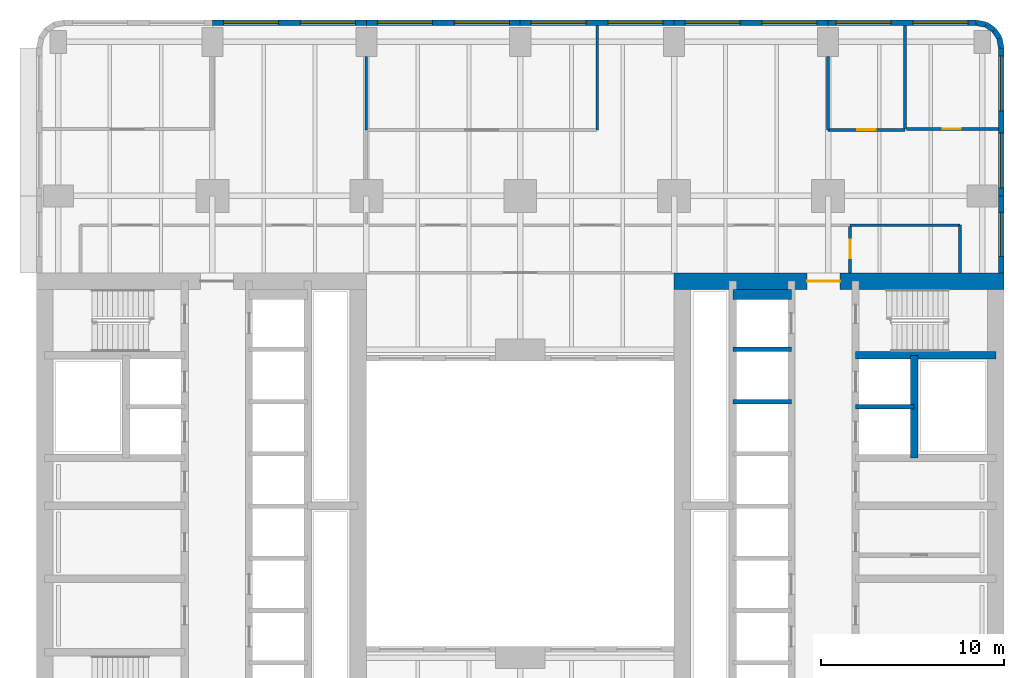
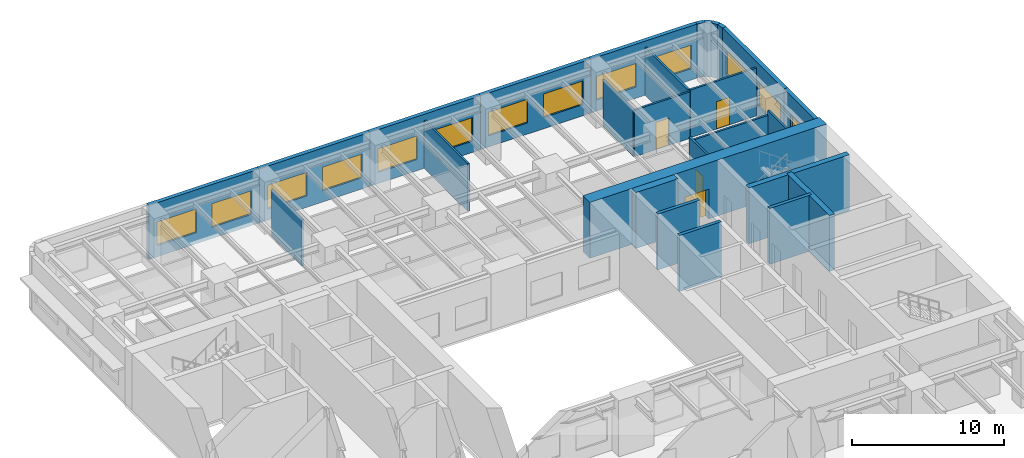
# One storey, part 7 of 12: 27 walls, 13 windows, 4 doors, 17 openings.
"""IFC4 building model written with IfcOpenShell, lengths in metres."""

from ifc_helpers import new_model, si_unit, direction, frame, frame_2d, origin, place, context, subcontext, project, spatial, rectangle, extrude, material, layer, layer_set, type_object, element, fill, save


model = new_model("IFC4")

# Units and contexts
model_context = context("Model", 3, precision=1e-05, world=origin(), true_north=direction((0.0, 1.0)))
body_context = subcontext(model_context, "Body", "Model", "MODEL_VIEW")
ifc_project = project(units=[si_unit("LENGTHUNIT", "METRE"), si_unit("AREAUNIT", "SQUARE_METRE"), si_unit("VOLUMEUNIT", "CUBIC_METRE"), si_unit("PLANEANGLEUNIT", "RADIAN"), si_unit("MASSUNIT", "GRAM", prefix="KILO")], contexts=[model_context])

# Site, building, storey
site_placement = place(None, origin())
site = spatial("IfcSite", under=ifc_project, at=site_placement, CompositionType="ELEMENT")
building_placement = place(site_placement, origin())
building = spatial("IfcBuilding", under=site, at=building_placement, Name="Claustro Exchange Tower", CompositionType="ELEMENT")
storey_placement = place(building_placement, frame((0.0, 0.0, 63.89990234375)))
storey = spatial("IfcBuildingStorey", under=building, at=storey_placement, Name="L14", CompositionType="ELEMENT", Elevation=63.89990234375)

# Walls
ifc_material_1 = material(Name="Gypsum board on steel studs", Category="steel")
ifc_layer_1 = layer(ifc_material_1, 0.14990234375)
ifc_layer_set_1 = layer_set([ifc_layer_1], Name="Gypsum board on steel studs")
wall_type_1 = type_object("IfcWallType", Name="P1 150 plasterboard partition", PredefinedType="PARTITIONING", material=ifc_layer_set_1)
wall_1_placement = place(storey_placement, frame((16.800048828125, 45.597900390625, 0.0), z_axis=(0.0, 0.0, 1.0), x_axis=(0.0, 1.0, 0.0)))
element("IfcWall", 1, at=wall_1_placement, inside=storey, type_object=wall_type_1, Name="Partition P1 L14", PredefinedType="PARTITIONING", context=body_context, shape_type="SweptSolid", body=[
    extrude(rectangle(XDim=4.003173828125, YDim=0.14990234375, at=frame_2d((2.00146484375, 0.0))), origin(), (0.0, 0.0, 1.0), 3.739990234375),
])
wall_2_placement = place(storey_placement, frame((29.39990234375, 45.60009765625, 0.0), z_axis=(0.0, 0.0, 1.0), x_axis=(0.0, 1.0, 0.0)))
element("IfcWall", 2, at=wall_2_placement, inside=storey, type_object=wall_type_1, Name="Partition P1 L14", PredefinedType="PARTITIONING", context=body_context, shape_type="SweptSolid", body=[
    extrude(rectangle(XDim=5.701904296875, YDim=0.14990234375, at=frame_2d((2.85107421875, 0.0))), origin(), (0.0, 0.0, 1.0), 3.840087890625),
])

# Wall, opening, door
wall_3_placement = place(storey_placement, frame((46.27392578125, 45.64990234375, 0.0), z_axis=(0.0, 0.0, 1.0), x_axis=(1.0, 0.0, 0.0)))
wall_3 = element("IfcWall", 3, at=wall_3_placement, inside=storey, type_object=wall_type_1, Name="Partition P1 L14", PredefinedType="PARTITIONING", context=body_context, shape_type="SweptSolid", body=[
    extrude(rectangle(XDim=5.028076171875, YDim=0.14990234375, at=frame_2d((2.51416015625, 0.0))), origin(), (0.0, 0.0, 1.0), 3.840087890625),
])
opening_1_placement = place(wall_3_placement, frame((1.97607421875, 0.0, 0.0)))
opening_1 = element("IfcOpeningElement", 4, at=opening_1_placement, cuts=wall_3, Name="Opening D1", PredefinedType="OPENING", context=body_context, shape_type="SweptSolid", body=[
    extrude(rectangle(XDim=1.0, YDim=2.199951171875, at=frame_2d((0.5, 1.10009765625))), frame((0.0, 0.0849609375, 0.0), z_axis=(0.0, -1.0, 0.0), x_axis=(1.0, 0.0, 0.0)), (0.0, 0.0, 1.0), 0.169921875),
])
ifc_material_2 = material(Name="Timber door, oak veneer", Category="wood")
door_type_1 = type_object("IfcDoorType", Name="D1 1000 x 2200 single door", OperationType="SINGLE_SWING_LEFT", PredefinedType="DOOR", material=ifc_material_2)
door_1_placement = place(opening_1_placement, origin())
door_1 = element("IfcDoor", 5, at=door_1_placement, inside=storey, type_object=door_type_1, Name="Door D1 L14", OperationType="SINGLE_SWING_LEFT", OverallHeight=2.199951171875, OverallWidth=1.0, PredefinedType="DOOR", context=body_context, shape_type="SweptSolid", body=[
    extrude(rectangle(XDim=1.0, YDim=2.199951171875, at=frame_2d((0.5, 1.10009765625))), frame((0.0, 0.02490234375, 0.0), z_axis=(0.0, -1.0, 0.0), x_axis=(1.0, 0.0, 0.0)), (0.0, 0.0, 1.0), 0.050048828125),
])
fill(opening_1, door_1)

wall_4_placement = place(storey_placement, frame((42.0, 45.60009765625, 0.0), z_axis=(0.0, 0.0, 1.0), x_axis=(1.0, 0.0, 0.0)))
wall_4 = element("IfcWall", 6, at=wall_4_placement, inside=storey, type_object=wall_type_1, Name="Partition P1 L14", PredefinedType="PARTITIONING", context=body_context, shape_type="SweptSolid", body=[
    extrude(rectangle(XDim=4.201904296875, YDim=0.14990234375, at=frame_2d((2.10107421875, 0.0))), origin(), (0.0, 0.0, 1.0), 3.739990234375),
])
opening_2_placement = place(wall_4_placement, frame((1.60009765625, 0.0, 0.0)))
opening_2 = element("IfcOpeningElement", 7, at=opening_2_placement, cuts=wall_4, Name="Opening D1", PredefinedType="OPENING", context=body_context, shape_type="SweptSolid", body=[
    extrude(rectangle(XDim=1.0, YDim=2.199951171875, at=frame_2d((0.5, 1.10009765625))), frame((0.0, 0.0849609375, 0.0), z_axis=(0.0, -1.0, 0.0), x_axis=(1.0, 0.0, 0.0)), (0.0, 0.0, 1.0), 0.169921875),
])
door_2_placement = place(opening_2_placement, origin())
door_2 = element("IfcDoor", 8, at=door_2_placement, inside=storey, type_object=door_type_1, Name="Door D1 L14", OperationType="SINGLE_SWING_LEFT", OverallHeight=2.199951171875, OverallWidth=1.0, PredefinedType="DOOR", context=body_context, shape_type="SweptSolid", body=[
    extrude(rectangle(XDim=1.0, YDim=2.199951171875, at=frame_2d((0.5, 1.10009765625))), frame((0.0, 0.02490234375, 0.0), z_axis=(0.0, -1.0, 0.0), x_axis=(1.0, 0.0, 0.0)), (0.0, 0.0, 1.0), 0.050048828125),
])
fill(opening_2, door_2)

# Walls
wall_5_placement = place(storey_placement, frame((42.0, 45.60009765625, 0.0), z_axis=(0.0, 0.0, 1.0), x_axis=(0.0, 1.0, 0.0)))
element("IfcWall", 9, at=wall_5_placement, inside=storey, type_object=wall_type_1, Name="Partition P1 L14", PredefinedType="PARTITIONING", context=body_context, shape_type="SweptSolid", body=[
    extrude(rectangle(XDim=4.0009765625, YDim=0.14990234375, at=frame_2d((2.00048828125, 0.0))), origin(), (0.0, 0.0, 1.0), 3.739990234375),
])
wall_6_placement = place(storey_placement, frame((46.199951171875, 45.674072265625, 0.0), z_axis=(0.0, 0.0, 1.0), x_axis=(0.0, 1.0, 0.0)))
element("IfcWall", 10, at=wall_6_placement, inside=storey, type_object=wall_type_1, Name="Partition P1 L14", PredefinedType="PARTITIONING", context=body_context, shape_type="SweptSolid", body=[
    extrude(rectangle(XDim=5.6279296875, YDim=0.14990234375, at=frame_2d((2.81396484375, 0.0))), origin(), (0.0, 0.0, 1.0), 3.840087890625),
])

# Wall, opening, door
wall_7_placement = place(storey_placement, frame((43.199951171875, 37.800048828125, 0.0), z_axis=(0.0, 0.0, 1.0), x_axis=(0.0, 1.0, 0.0)))
wall_7 = element("IfcWall", 11, at=wall_7_placement, inside=storey, type_object=wall_type_1, Name="Partition P1 L14", PredefinedType="PARTITIONING", context=body_context, shape_type="SweptSolid", body=[
    extrude(rectangle(XDim=2.52587890625, YDim=0.14990234375, at=frame_2d((1.262939453125, 0.0))), origin(), (0.0, 0.0, 1.0), 4.340087890625),
])
opening_3_placement = place(wall_7_placement, frame((0.800048828125, 0.0, 0.0)))
opening_3 = element("IfcOpeningElement", 12, at=opening_3_placement, cuts=wall_7, Name="Opening D1", PredefinedType="OPENING", context=body_context, shape_type="SweptSolid", body=[
    extrude(rectangle(XDim=1.0, YDim=2.199951171875, at=frame_2d((0.5, 1.10009765625))), frame((0.0, 0.0849609375, 0.0), z_axis=(0.0, -1.0, 0.0), x_axis=(1.0, 0.0, 0.0)), (0.0, 0.0, 1.0), 0.169921875),
])
door_3_placement = place(opening_3_placement, frame((1.0, 0.0, 0.0), z_axis=(0.0, 0.0, 1.0), x_axis=(-1.0, 0.0, 0.0)))
door_3 = element("IfcDoor", 13, at=door_3_placement, inside=storey, type_object=door_type_1, Name="Door D1 L14", OperationType="SINGLE_SWING_RIGHT", OverallHeight=2.199951171875, OverallWidth=1.0, PredefinedType="DOOR", context=body_context, shape_type="SweptSolid", body=[
    extrude(rectangle(XDim=1.0, YDim=2.199951171875, at=frame_2d((0.5, 1.10009765625))), frame((0.0, 0.02490234375, 0.0), z_axis=(0.0, -1.0, 0.0), x_axis=(1.0, 0.0, 0.0)), (0.0, 0.0, 1.0), 0.050048828125),
])
fill(opening_3, door_3)

# Walls
wall_8_placement = place(storey_placement, frame((43.197998046875, 40.39990234375, 0.0), z_axis=(0.0, 0.0, 1.0), x_axis=(1.0, 0.0, 0.0)))
element("IfcWall", 14, at=wall_8_placement, inside=storey, type_object=wall_type_1, Name="Partition P1 L14", PredefinedType="PARTITIONING", context=body_context, shape_type="SweptSolid", body=[
    extrude(rectangle(XDim=6.001953125, YDim=0.14990234375, at=frame_2d((3.0009765625, 0.0))), origin(), (0.0, 0.0, 1.0), 3.97998046875),
])
wall_9_placement = place(storey_placement, frame((49.199951171875, 37.800048828125, 0.0), z_axis=(0.0, 0.0, 1.0), x_axis=(0.0, 1.0, 0.0)))
element("IfcWall", 15, at=wall_9_placement, inside=storey, type_object=wall_type_1, Name="Partition P1 L14", PredefinedType="PARTITIONING", context=body_context, shape_type="SweptSolid", body=[
    extrude(rectangle(XDim=2.599853515625, YDim=0.14990234375, at=frame_2d((1.2998046875, 0.0))), origin(), (0.0, 0.0, 1.0), 4.340087890625),
])

# Wall, openings, windows
ifc_material_3 = material(Name="Concrete HA-40 (C40/50), precast, white cement, acid-etched", Category="concrete")
ifc_layer_2 = layer(ifc_material_3, 0.300048828125)
ifc_layer_set_2 = layer_set([ifc_layer_2], Name="Concrete HA-40 (C40/50), precast, white cement, acid-etched")
wall_type_2 = type_object("IfcWallType", Name="PC1 300 precast concrete pier panel", PredefinedType="SOLIDWALL", material=ifc_layer_set_2)
wall_10_placement = place(storey_placement, frame((8.39990234375, 51.449951171875, 0.0), z_axis=(0.0, 0.0, 1.0), x_axis=(1.0, 0.0, 0.0)))
wall_10 = element("IfcWall", 16, at=wall_10_placement, inside=storey, type_object=wall_type_2, Name="Precast pier panel PC1 L14", PredefinedType="SOLIDWALL", context=body_context, shape_type="SweptSolid", body=[
    extrude(rectangle(XDim=8.400146484375, YDim=0.300048828125, at=frame_2d((4.2001953125, 0.0))), origin(), (0.0, 0.0, 1.0), 4.340087890625),
])
opening_4_placement = place(wall_10_placement, frame((0.60009765625, 0.0, 0.89990234375)))
opening_4 = element("IfcOpeningElement", 17, at=opening_4_placement, cuts=wall_10, Name="Opening W1", PredefinedType="OPENING", context=body_context, shape_type="SweptSolid", body=[
    extrude(rectangle(XDim=3.0, YDim=1.89990234375, at=frame_2d((1.5, 0.949951171875))), frame((0.0, 0.159912109375, 0.0), z_axis=(0.0, -1.0, 0.0), x_axis=(1.0, 0.0, 0.0)), (0.0, 0.0, 1.0), 0.320068359375),
])
opening_5_placement = place(wall_10_placement, frame((4.800048828125, 0.0, 0.89990234375)))
opening_5 = element("IfcOpeningElement", 18, at=opening_5_placement, cuts=wall_10, Name="Opening W1", PredefinedType="OPENING", context=body_context, shape_type="SweptSolid", body=[
    extrude(rectangle(XDim=3.0, YDim=1.89990234375, at=frame_2d((1.5, 0.949951171875))), frame((0.0, 0.159912109375, 0.0), z_axis=(0.0, -1.0, 0.0), x_axis=(1.0, 0.0, 0.0)), (0.0, 0.0, 1.0), 0.320068359375),
])
ifc_material_4 = material(Name="Aluminium frame, clear double glazing", Category="aluminium")
window_type_1 = type_object("IfcWindowType", Name="W1 3000 x 1900 window", PartitioningType="SINGLE_PANEL", PredefinedType="WINDOW", material=ifc_material_4)
window_1_placement = place(opening_4_placement, origin())
window_1 = element("IfcWindow", 19, at=window_1_placement, inside=storey, type_object=window_type_1, Name="Window W1 L14", OverallHeight=1.89990234375, OverallWidth=3.0, PartitioningType="SINGLE_PANEL", PredefinedType="WINDOW", context=body_context, shape_type="SweptSolid", body=[
    extrude(rectangle(XDim=3.0, YDim=1.89990234375, at=frame_2d((1.5, 0.949951171875))), frame((0.0, 0.030029296875, 0.0), z_axis=(0.0, -1.0, 0.0), x_axis=(1.0, 0.0, 0.0)), (0.0, 0.0, 1.0), 0.06005859375),
])
fill(opening_4, window_1)
window_2_placement = place(opening_5_placement, origin())
window_2 = element("IfcWindow", 20, at=window_2_placement, inside=storey, type_object=window_type_1, Name="Window W1 L14", OverallHeight=1.89990234375, OverallWidth=3.0, PartitioningType="SINGLE_PANEL", PredefinedType="WINDOW", context=body_context, shape_type="SweptSolid", body=[
    extrude(rectangle(XDim=3.0, YDim=1.89990234375, at=frame_2d((1.5, 0.949951171875))), frame((0.0, 0.030029296875, 0.0), z_axis=(0.0, -1.0, 0.0), x_axis=(1.0, 0.0, 0.0)), (0.0, 0.0, 1.0), 0.06005859375),
])
fill(opening_5, window_2)

wall_11_placement = place(storey_placement, frame((16.800048828125, 51.449951171875, 0.0), z_axis=(0.0, 0.0, 1.0), x_axis=(1.0, 0.0, 0.0)))
wall_11 = element("IfcWall", 21, at=wall_11_placement, inside=storey, type_object=wall_type_2, Name="Precast pier panel PC1 L14", PredefinedType="SOLIDWALL", context=body_context, shape_type="SweptSolid", body=[
    extrude(rectangle(XDim=8.39990234375, YDim=0.300048828125, at=frame_2d((4.199951171875, 0.0))), origin(), (0.0, 0.0, 1.0), 4.340087890625),
])
opening_6_placement = place(wall_11_placement, frame((0.60009765625, 0.0, 0.89990234375)))
opening_6 = element("IfcOpeningElement", 22, at=opening_6_placement, cuts=wall_11, Name="Opening W1", PredefinedType="OPENING", context=body_context, shape_type="SweptSolid", body=[
    extrude(rectangle(XDim=3.0, YDim=1.89990234375, at=frame_2d((1.5, 0.949951171875))), frame((0.0, 0.159912109375, 0.0), z_axis=(0.0, -1.0, 0.0), x_axis=(1.0, 0.0, 0.0)), (0.0, 0.0, 1.0), 0.320068359375),
])
opening_7_placement = place(wall_11_placement, frame((4.800048828125, 0.0, 0.89990234375)))
opening_7 = element("IfcOpeningElement", 23, at=opening_7_placement, cuts=wall_11, Name="Opening W1", PredefinedType="OPENING", context=body_context, shape_type="SweptSolid", body=[
    extrude(rectangle(XDim=3.0, YDim=1.89990234375, at=frame_2d((1.5, 0.949951171875))), frame((0.0, 0.159912109375, 0.0), z_axis=(0.0, -1.0, 0.0), x_axis=(1.0, 0.0, 0.0)), (0.0, 0.0, 1.0), 0.320068359375),
])
window_3_placement = place(opening_6_placement, origin())
window_3 = element("IfcWindow", 24, at=window_3_placement, inside=storey, type_object=window_type_1, Name="Window W1 L14", OverallHeight=1.89990234375, OverallWidth=3.0, PartitioningType="SINGLE_PANEL", PredefinedType="WINDOW", context=body_context, shape_type="SweptSolid", body=[
    extrude(rectangle(XDim=3.0, YDim=1.89990234375, at=frame_2d((1.5, 0.949951171875))), frame((0.0, 0.030029296875, 0.0), z_axis=(0.0, -1.0, 0.0), x_axis=(1.0, 0.0, 0.0)), (0.0, 0.0, 1.0), 0.06005859375),
])
fill(opening_6, window_3)
window_4_placement = place(opening_7_placement, origin())
window_4 = element("IfcWindow", 25, at=window_4_placement, inside=storey, type_object=window_type_1, Name="Window W1 L14", OverallHeight=1.89990234375, OverallWidth=3.0, PartitioningType="SINGLE_PANEL", PredefinedType="WINDOW", context=body_context, shape_type="SweptSolid", body=[
    extrude(rectangle(XDim=3.0, YDim=1.89990234375, at=frame_2d((1.5, 0.949951171875))), frame((0.0, 0.030029296875, 0.0), z_axis=(0.0, -1.0, 0.0), x_axis=(1.0, 0.0, 0.0)), (0.0, 0.0, 1.0), 0.06005859375),
])
fill(opening_7, window_4)

wall_12_placement = place(storey_placement, frame((25.199951171875, 51.449951171875, 0.0), z_axis=(0.0, 0.0, 1.0), x_axis=(1.0, 0.0, 0.0)))
wall_12 = element("IfcWall", 26, at=wall_12_placement, inside=storey, type_object=wall_type_2, Name="Precast pier panel PC1 L14", PredefinedType="SOLIDWALL", context=body_context, shape_type="SweptSolid", body=[
    extrude(rectangle(XDim=8.400146484375, YDim=0.300048828125, at=frame_2d((4.2001953125, 0.0))), origin(), (0.0, 0.0, 1.0), 4.340087890625),
])
opening_8_placement = place(wall_12_placement, frame((0.60009765625, 0.0, 0.89990234375)))
opening_8 = element("IfcOpeningElement", 27, at=opening_8_placement, cuts=wall_12, Name="Opening W1", PredefinedType="OPENING", context=body_context, shape_type="SweptSolid", body=[
    extrude(rectangle(XDim=3.0, YDim=1.89990234375, at=frame_2d((1.5, 0.949951171875))), frame((0.0, 0.159912109375, 0.0), z_axis=(0.0, -1.0, 0.0), x_axis=(1.0, 0.0, 0.0)), (0.0, 0.0, 1.0), 0.320068359375),
])
opening_9_placement = place(wall_12_placement, frame((4.800048828125, 0.0, 0.89990234375)))
opening_9 = element("IfcOpeningElement", 28, at=opening_9_placement, cuts=wall_12, Name="Opening W1", PredefinedType="OPENING", context=body_context, shape_type="SweptSolid", body=[
    extrude(rectangle(XDim=3.0, YDim=1.89990234375, at=frame_2d((1.5, 0.949951171875))), frame((0.0, 0.159912109375, 0.0), z_axis=(0.0, -1.0, 0.0), x_axis=(1.0, 0.0, 0.0)), (0.0, 0.0, 1.0), 0.320068359375),
])
window_5_placement = place(opening_8_placement, origin())
window_5 = element("IfcWindow", 29, at=window_5_placement, inside=storey, type_object=window_type_1, Name="Window W1 L14", OverallHeight=1.89990234375, OverallWidth=3.0, PartitioningType="SINGLE_PANEL", PredefinedType="WINDOW", context=body_context, shape_type="SweptSolid", body=[
    extrude(rectangle(XDim=3.0, YDim=1.89990234375, at=frame_2d((1.5, 0.949951171875))), frame((0.0, 0.030029296875, 0.0), z_axis=(0.0, -1.0, 0.0), x_axis=(1.0, 0.0, 0.0)), (0.0, 0.0, 1.0), 0.06005859375),
])
fill(opening_8, window_5)
window_6_placement = place(opening_9_placement, origin())
window_6 = element("IfcWindow", 30, at=window_6_placement, inside=storey, type_object=window_type_1, Name="Window W1 L14", OverallHeight=1.89990234375, OverallWidth=3.0, PartitioningType="SINGLE_PANEL", PredefinedType="WINDOW", context=body_context, shape_type="SweptSolid", body=[
    extrude(rectangle(XDim=3.0, YDim=1.89990234375, at=frame_2d((1.5, 0.949951171875))), frame((0.0, 0.030029296875, 0.0), z_axis=(0.0, -1.0, 0.0), x_axis=(1.0, 0.0, 0.0)), (0.0, 0.0, 1.0), 0.06005859375),
])
fill(opening_9, window_6)

wall_13_placement = place(storey_placement, frame((33.60009765625, 51.449951171875, 0.0), z_axis=(0.0, 0.0, 1.0), x_axis=(1.0, 0.0, 0.0)))
wall_13 = element("IfcWall", 31, at=wall_13_placement, inside=storey, type_object=wall_type_2, Name="Precast pier panel PC1 L14", PredefinedType="SOLIDWALL", context=body_context, shape_type="SweptSolid", body=[
    extrude(rectangle(XDim=8.39990234375, YDim=0.300048828125, at=frame_2d((4.199951171875, 0.0))), origin(), (0.0, 0.0, 1.0), 4.340087890625),
])
opening_10_placement = place(wall_13_placement, frame((0.60009765625, 0.0, 0.89990234375)))
opening_10 = element("IfcOpeningElement", 32, at=opening_10_placement, cuts=wall_13, Name="Opening W1", PredefinedType="OPENING", context=body_context, shape_type="SweptSolid", body=[
    extrude(rectangle(XDim=3.0, YDim=1.89990234375, at=frame_2d((1.5, 0.949951171875))), frame((0.0, 0.159912109375, 0.0), z_axis=(0.0, -1.0, 0.0), x_axis=(1.0, 0.0, 0.0)), (0.0, 0.0, 1.0), 0.320068359375),
])
opening_11_placement = place(wall_13_placement, frame((4.800048828125, 0.0, 0.89990234375)))
opening_11 = element("IfcOpeningElement", 33, at=opening_11_placement, cuts=wall_13, Name="Opening W1", PredefinedType="OPENING", context=body_context, shape_type="SweptSolid", body=[
    extrude(rectangle(XDim=3.0, YDim=1.89990234375, at=frame_2d((1.5, 0.949951171875))), frame((0.0, 0.159912109375, 0.0), z_axis=(0.0, -1.0, 0.0), x_axis=(1.0, 0.0, 0.0)), (0.0, 0.0, 1.0), 0.320068359375),
])
window_7_placement = place(opening_10_placement, origin())
window_7 = element("IfcWindow", 34, at=window_7_placement, inside=storey, type_object=window_type_1, Name="Window W1 L14", OverallHeight=1.89990234375, OverallWidth=3.0, PartitioningType="SINGLE_PANEL", PredefinedType="WINDOW", context=body_context, shape_type="SweptSolid", body=[
    extrude(rectangle(XDim=3.0, YDim=1.89990234375, at=frame_2d((1.5, 0.949951171875))), frame((0.0, 0.030029296875, 0.0), z_axis=(0.0, -1.0, 0.0), x_axis=(1.0, 0.0, 0.0)), (0.0, 0.0, 1.0), 0.06005859375),
])
fill(opening_10, window_7)
window_8_placement = place(opening_11_placement, origin())
window_8 = element("IfcWindow", 35, at=window_8_placement, inside=storey, type_object=window_type_1, Name="Window W1 L14", OverallHeight=1.89990234375, OverallWidth=3.0, PartitioningType="SINGLE_PANEL", PredefinedType="WINDOW", context=body_context, shape_type="SweptSolid", body=[
    extrude(rectangle(XDim=3.0, YDim=1.89990234375, at=frame_2d((1.5, 0.949951171875))), frame((0.0, 0.030029296875, 0.0), z_axis=(0.0, -1.0, 0.0), x_axis=(1.0, 0.0, 0.0)), (0.0, 0.0, 1.0), 0.06005859375),
])
fill(opening_11, window_8)

wall_14_placement = place(storey_placement, frame((42.0, 51.449951171875, 0.0), z_axis=(0.0, 0.0, 1.0), x_axis=(1.0, 0.0, 0.0)))
wall_14 = element("IfcWall", 36, at=wall_14_placement, inside=storey, type_object=wall_type_2, Name="Precast pier panel PC1 L14", PredefinedType="SOLIDWALL", context=body_context, shape_type="SweptSolid", body=[
    extrude(rectangle(XDim=8.085205078125, YDim=0.300048828125, at=frame_2d((4.04248046875, 0.0))), origin(), (0.0, 0.0, 1.0), 4.340087890625),
])
opening_12_placement = place(wall_14_placement, frame((0.442626953125, 0.0, 0.89990234375)))
opening_12 = element("IfcOpeningElement", 37, at=opening_12_placement, cuts=wall_14, Name="Opening W1", PredefinedType="OPENING", context=body_context, shape_type="SweptSolid", body=[
    extrude(rectangle(XDim=3.0, YDim=1.89990234375, at=frame_2d((1.5, 0.949951171875))), frame((0.0, 0.159912109375, 0.0), z_axis=(0.0, -1.0, 0.0), x_axis=(1.0, 0.0, 0.0)), (0.0, 0.0, 1.0), 0.320068359375),
])
opening_13_placement = place(wall_14_placement, frame((4.642578125, 0.0, 0.89990234375)))
opening_13 = element("IfcOpeningElement", 38, at=opening_13_placement, cuts=wall_14, Name="Opening W1", PredefinedType="OPENING", context=body_context, shape_type="SweptSolid", body=[
    extrude(rectangle(XDim=3.0, YDim=1.89990234375, at=frame_2d((1.5, 0.949951171875))), frame((0.0, 0.159912109375, 0.0), z_axis=(0.0, -1.0, 0.0), x_axis=(1.0, 0.0, 0.0)), (0.0, 0.0, 1.0), 0.320068359375),
])
window_9_placement = place(opening_12_placement, origin())
window_9 = element("IfcWindow", 39, at=window_9_placement, inside=storey, type_object=window_type_1, Name="Window W1 L14", OverallHeight=1.89990234375, OverallWidth=3.0, PartitioningType="SINGLE_PANEL", PredefinedType="WINDOW", context=body_context, shape_type="SweptSolid", body=[
    extrude(rectangle(XDim=3.0, YDim=1.89990234375, at=frame_2d((1.5, 0.949951171875))), frame((0.0, 0.030029296875, 0.0), z_axis=(0.0, -1.0, 0.0), x_axis=(1.0, 0.0, 0.0)), (0.0, 0.0, 1.0), 0.06005859375),
])
fill(opening_12, window_9)
window_10_placement = place(opening_13_placement, origin())
window_10 = element("IfcWindow", 40, at=window_10_placement, inside=storey, type_object=window_type_1, Name="Window W1 L14", OverallHeight=1.89990234375, OverallWidth=3.0, PartitioningType="SINGLE_PANEL", PredefinedType="WINDOW", context=body_context, shape_type="SweptSolid", body=[
    extrude(rectangle(XDim=3.0, YDim=1.89990234375, at=frame_2d((1.5, 0.949951171875))), frame((0.0, 0.030029296875, 0.0), z_axis=(0.0, -1.0, 0.0), x_axis=(1.0, 0.0, 0.0)), (0.0, 0.0, 1.0), 0.06005859375),
])
fill(opening_13, window_10)

# Walls
wall_15_placement = place(storey_placement, frame((50.085205078125, 51.449951171875, 0.0), z_axis=(0.0, 0.0, 1.0), x_axis=(0.980788534345, -0.195073962632, 0.0)))
element("IfcWall", 41, at=wall_15_placement, inside=storey, type_object=wall_type_2, Name="Precast pier panel PC1 L14", PredefinedType="SOLIDWALL", context=body_context, shape_type="SweptSolid", body=[
    extrude(rectangle(XDim=0.540771484375, YDim=0.300048828125, at=frame_2d((0.2705078125, 0.0))), origin(), (0.0, 0.0, 1.0), 4.340087890625),
])
for number, where, z_axis, x_axis, name in (
    (42, (50.615478515625, 51.344482421875, 0.0), (0.0, 0.0, 1.0), (0.831478144188, -0.555557463938, 0.0), "Precast pier panel PC1 L14"),
    (43, (51.052490234375, 51.052490234375, 0.0), (0.0, 0.0, 1.0), (0.555557463938, -0.831478144188, 0.0), "Precast pier panel PC1 L14"),
):
    element("IfcWall", number, at=place(storey_placement, frame(where, z_axis=z_axis, x_axis=x_axis)), inside=storey, type_object=wall_type_2, Name=name, PredefinedType="SOLIDWALL", context=body_context, shape_type="SweptSolid", body=[
        extrude(rectangle(XDim=0.525634765625, YDim=0.300048828125, at=frame_2d((0.2626953125, 0.0))), origin(), (0.0, 0.0, 1.0), 4.340087890625),
    ])
wall_16_placement = place(storey_placement, frame((51.344482421875, 50.615478515625, 0.0), z_axis=(0.0, 0.0, 1.0), x_axis=(0.195073962632, -0.980788534345, 0.0)))
element("IfcWall", 44, at=wall_16_placement, inside=storey, type_object=wall_type_2, Name="Precast pier panel PC1 L14", PredefinedType="SOLIDWALL", context=body_context, shape_type="SweptSolid", body=[
    extrude(rectangle(XDim=0.540771484375, YDim=0.300048828125, at=frame_2d((0.2705078125, 0.0))), origin(), (0.0, 0.0, 1.0), 4.340087890625),
])

# Wall, openings, windows
wall_17_placement = place(storey_placement, frame((51.449951171875, 50.085205078125, 0.0), z_axis=(0.0, 0.0, 1.0), x_axis=(0.0, -1.0, 0.0)))
wall_17 = element("IfcWall", 45, at=wall_17_placement, inside=storey, type_object=wall_type_2, Name="Precast pier panel PC1 L14", PredefinedType="SOLIDWALL", context=body_context, shape_type="SweptSolid", body=[
    extrude(rectangle(XDim=8.085205078125, YDim=0.300048828125, at=frame_2d((4.04248046875, 0.0))), origin(), (0.0, 0.0, 1.0), 4.340087890625),
])
opening_14_placement = place(wall_17_placement, frame((0.442626953125, 0.0, 0.89990234375)))
opening_14 = element("IfcOpeningElement", 46, at=opening_14_placement, cuts=wall_17, Name="Opening W1", PredefinedType="OPENING", context=body_context, shape_type="SweptSolid", body=[
    extrude(rectangle(XDim=3.0, YDim=1.89990234375, at=frame_2d((1.5, 0.949951171875))), frame((0.0, 0.159912109375, 0.0), z_axis=(0.0, -1.0, 0.0), x_axis=(1.0, 0.0, 0.0)), (0.0, 0.0, 1.0), 0.320068359375),
])
opening_15_placement = place(wall_17_placement, frame((4.642578125, 0.0, 0.89990234375)))
opening_15 = element("IfcOpeningElement", 47, at=opening_15_placement, cuts=wall_17, Name="Opening W1", PredefinedType="OPENING", context=body_context, shape_type="SweptSolid", body=[
    extrude(rectangle(XDim=3.0, YDim=1.89990234375, at=frame_2d((1.5, 0.949951171875))), frame((0.0, 0.159912109375, 0.0), z_axis=(0.0, -1.0, 0.0), x_axis=(1.0, 0.0, 0.0)), (0.0, 0.0, 1.0), 0.320068359375),
])
window_11_placement = place(opening_14_placement, origin())
window_11 = element("IfcWindow", 48, at=window_11_placement, inside=storey, type_object=window_type_1, Name="Window W1 L14", OverallHeight=1.89990234375, OverallWidth=3.0, PartitioningType="SINGLE_PANEL", PredefinedType="WINDOW", context=body_context, shape_type="SweptSolid", body=[
    extrude(rectangle(XDim=3.0, YDim=1.89990234375, at=frame_2d((1.5, 0.949951171875))), frame((0.0, 0.030029296875, 0.0), z_axis=(0.0, -1.0, 0.0), x_axis=(1.0, 0.0, 0.0)), (0.0, 0.0, 1.0), 0.06005859375),
])
fill(opening_14, window_11)
window_12_placement = place(opening_15_placement, origin())
window_12 = element("IfcWindow", 49, at=window_12_placement, inside=storey, type_object=window_type_1, Name="Window W1 L14", OverallHeight=1.89990234375, OverallWidth=3.0, PartitioningType="SINGLE_PANEL", PredefinedType="WINDOW", context=body_context, shape_type="SweptSolid", body=[
    extrude(rectangle(XDim=3.0, YDim=1.89990234375, at=frame_2d((1.5, 0.949951171875))), frame((0.0, 0.030029296875, 0.0), z_axis=(0.0, -1.0, 0.0), x_axis=(1.0, 0.0, 0.0)), (0.0, 0.0, 1.0), 0.06005859375),
])
fill(opening_15, window_12)

# Wall, opening, window
wall_18_placement = place(storey_placement, frame((51.449951171875, 42.0, 0.0), z_axis=(0.0, 0.0, 1.0), x_axis=(0.0, -1.0, 0.0)))
wall_18 = element("IfcWall", 50, at=wall_18_placement, inside=storey, type_object=wall_type_2, Name="Precast pier panel PC1 L14", PredefinedType="SOLIDWALL", context=body_context, shape_type="SweptSolid", body=[
    extrude(rectangle(XDim=4.199951171875, YDim=0.300048828125, at=frame_2d((2.10009765625, 0.0))), origin(), (0.0, 0.0, 1.0), 4.340087890625),
])
opening_16_placement = place(wall_18_placement, frame((0.89990234375, 0.0, 0.89990234375)))
opening_16 = element("IfcOpeningElement", 51, at=opening_16_placement, cuts=wall_18, Name="Opening W2", PredefinedType="OPENING", context=body_context, shape_type="SweptSolid", body=[
    extrude(rectangle(XDim=2.39990234375, YDim=1.89990234375, at=frame_2d((1.199951171875, 0.949951171875))), frame((0.0, 0.159912109375, 0.0), z_axis=(0.0, -1.0, 0.0), x_axis=(1.0, 0.0, 0.0)), (0.0, 0.0, 1.0), 0.320068359375),
])
ifc_material_5 = material(Name="Aluminium frame, clear double glazing", Category="aluminium")
window_type_2 = type_object("IfcWindowType", Name="W2 2400 x 1900 window", PartitioningType="SINGLE_PANEL", PredefinedType="WINDOW", material=ifc_material_5)
window_13_placement = place(opening_16_placement, origin())
window_13 = element("IfcWindow", 52, at=window_13_placement, inside=storey, type_object=window_type_2, Name="Window W2 L14", OverallHeight=1.89990234375, OverallWidth=2.39990234375, PartitioningType="SINGLE_PANEL", PredefinedType="WINDOW", context=body_context, shape_type="SweptSolid", body=[
    extrude(rectangle(XDim=2.39990234375, YDim=1.89990234375, at=frame_2d((1.199951171875, 0.949951171875))), frame((0.0, 0.030029296875, 0.0), z_axis=(0.0, -1.0, 0.0), x_axis=(1.0, 0.0, 0.0)), (0.0, 0.0, 1.0), 0.06005859375),
])
fill(opening_16, window_13)

# Wall, opening, door
ifc_material_6 = material(Name="Concrete HA-70 (C70/85)", Category="concrete")
ifc_layer_3 = layer(ifc_material_6, 0.89990234375)
ifc_layer_set_3 = layer_set([ifc_layer_3], Name="Concrete HA-70 (C70/85)")
wall_type_3 = type_object("IfcWallType", Name="SW1 900 core shear wall", PredefinedType="SHEAR", material=ifc_layer_set_3)
wall_19_placement = place(storey_placement, frame((33.60009765625, 37.35009765625, 0.0), z_axis=(0.0, 0.0, 1.0), x_axis=(1.0, 0.0, 0.0)))
wall_19 = element("IfcWall", 53, at=wall_19_placement, inside=storey, type_object=wall_type_3, Name="Core wall SW1 E core N face L14", PredefinedType="SHEAR", context=body_context, shape_type="SweptSolid", body=[
    extrude(rectangle(XDim=18.0, YDim=0.89990234375, at=frame_2d((9.0, 0.0))), origin(), (0.0, 0.0, 1.0), 4.5),
])
opening_17_placement = place(wall_19_placement, frame((7.25, 0.0, 0.0)))
opening_17 = element("IfcOpeningElement", 54, at=opening_17_placement, cuts=wall_19, Name="Opening D3", PredefinedType="OPENING", context=body_context, shape_type="SweptSolid", body=[
    extrude(rectangle(XDim=1.800048828125, YDim=2.39990234375, at=frame_2d((0.89990234375, 1.199951171875))), frame((0.0, 0.4599609375, 0.0), z_axis=(0.0, -1.0, 0.0), x_axis=(1.0, 0.0, 0.0)), (0.0, 0.0, 1.0), 0.919921875),
])
ifc_material_7 = material(Name="Steel fire door, painted", Category="steel")
door_type_2 = type_object("IfcDoorType", Name="D3 1800 x 2400 fire-rated lobby double door", OperationType="DOUBLE_DOOR_SINGLE_SWING", PredefinedType="DOOR", material=ifc_material_7)
door_4_placement = place(opening_17_placement, frame((1.800048828125, 0.0, 0.0), z_axis=(0.0, 0.0, 1.0), x_axis=(-1.0, 0.0, 0.0)))
door_4 = element("IfcDoor", 55, at=door_4_placement, inside=storey, type_object=door_type_2, Name="Lift lobby door D3 L14", OperationType="DOUBLE_DOOR_SINGLE_SWING", OverallHeight=2.39990234375, OverallWidth=1.800048828125, PredefinedType="DOOR", context=body_context, shape_type="SweptSolid", body=[
    extrude(rectangle(XDim=1.800048828125, YDim=2.39990234375, at=frame_2d((0.89990234375, 1.199951171875))), frame((0.0, 0.02490234375, 0.0), z_axis=(0.0, -1.0, 0.0), x_axis=(1.0, 0.0, 0.0)), (0.0, 0.0, 1.0), 0.050048828125),
])
fill(opening_17, door_4)

# Walls
ifc_material_8 = material(Name="Concrete HA-50 (C50/60)", Category="concrete")
ifc_layer_4 = layer(ifc_material_8, 0.39990234375)
ifc_layer_set_4 = layer_set([ifc_layer_4], Name="Concrete HA-50 (C50/60)")
wall_type_4 = type_object("IfcWallType", Name="SW4 400 internal core wall", PredefinedType="SHEAR", material=ifc_layer_set_4)
wall_20_placement = place(storey_placement, frame((51.14990234375, 33.300048828125, 0.0), z_axis=(0.0, 0.0, 1.0), x_axis=(-1.0, 0.0, 0.0)))
element("IfcWall", 56, at=wall_20_placement, inside=storey, type_object=wall_type_4, Name="Internal core wall SW4 E core L14", PredefinedType="SHEAR", context=body_context, shape_type="SweptSolid", body=[
    extrude(rectangle(XDim=7.64990234375, YDim=0.39990234375, at=frame_2d((3.824951171875, 0.0))), origin(), (0.0, 0.0, 1.0), 4.5),
])
wall_21_placement = place(storey_placement, frame((46.699951171875, 27.699951171875, 0.0), z_axis=(0.0, 0.0, 1.0), x_axis=(0.0, 1.0, 0.0)))
element("IfcWall", 57, at=wall_21_placement, inside=storey, type_object=wall_type_4, Name="Internal core wall SW4 E core L14", PredefinedType="SHEAR", context=body_context, shape_type="SweptSolid", body=[
    extrude(rectangle(XDim=5.60009765625, YDim=0.39990234375, at=frame_2d((2.800048828125, 0.0))), origin(), (0.0, 0.0, 1.0), 4.5),
])
ifc_material_9 = material(Name="Concrete HA-50 (C50/60)", Category="concrete")
ifc_layer_5 = layer(ifc_material_9, 0.25)
ifc_layer_set_5 = layer_set([ifc_layer_5], Name="Concrete HA-50 (C50/60)")
wall_type_5 = type_object("IfcWallType", Name="SW5 250 lift shaft divider wall", PredefinedType="SHEAR", material=ifc_layer_set_5)
for number, where, z_axis, x_axis, name in (
    (58, (46.699951171875, 30.5, 0.0), (0.0, 0.0, 1.0), (-1.0, 0.0, 0.0), "Lift shaft wall E core L14"),
    (59, (40.0, 30.77490234375, 0.0), (0.0, 0.0, 1.0), (-1.0, 0.0, 0.0), "Lift shaft wall E core L14"),
    (60, (40.0, 33.625, 0.0), (0.0, 0.0, 1.0), (-1.0, 0.0, 0.0), "Lift shaft wall E core L14"),
):
    element("IfcWall", number, at=place(storey_placement, frame(where, z_axis=z_axis, x_axis=x_axis)), inside=storey, type_object=wall_type_5, Name=name, PredefinedType="SHEAR", context=body_context, shape_type="SweptSolid", body=[
        extrude(rectangle(XDim=3.199951171875, YDim=0.25, at=frame_2d((1.60009765625, 0.0))), origin(), (0.0, 0.0, 1.0), 4.5),
    ])
ifc_material_10 = material(Name="Concrete HA-50 (C50/60)", Category="concrete")
ifc_layer_6 = layer(ifc_material_10, 0.550048828125)
ifc_layer_set_6 = layer_set([ifc_layer_6], Name="Concrete HA-50 (C50/60)")
wall_type_6 = type_object("IfcWallType", Name="SW6 550 lift shaft end wall", PredefinedType="SHEAR", material=ifc_layer_set_6)
wall_22_placement = place(storey_placement, frame((40.0, 36.625, 0.0), z_axis=(0.0, 0.0, 1.0), x_axis=(-1.0, 0.0, 0.0)))
element("IfcWall", 61, at=wall_22_placement, inside=storey, type_object=wall_type_6, Name="Lift shaft wall E core L14", PredefinedType="SHEAR", context=body_context, shape_type="SweptSolid", body=[
    extrude(rectangle(XDim=3.199951171875, YDim=0.550048828125, at=frame_2d((1.60009765625, 0.0))), origin(), (0.0, 0.0, 1.0), 4.5),
])

save(model, "model.ifc")
